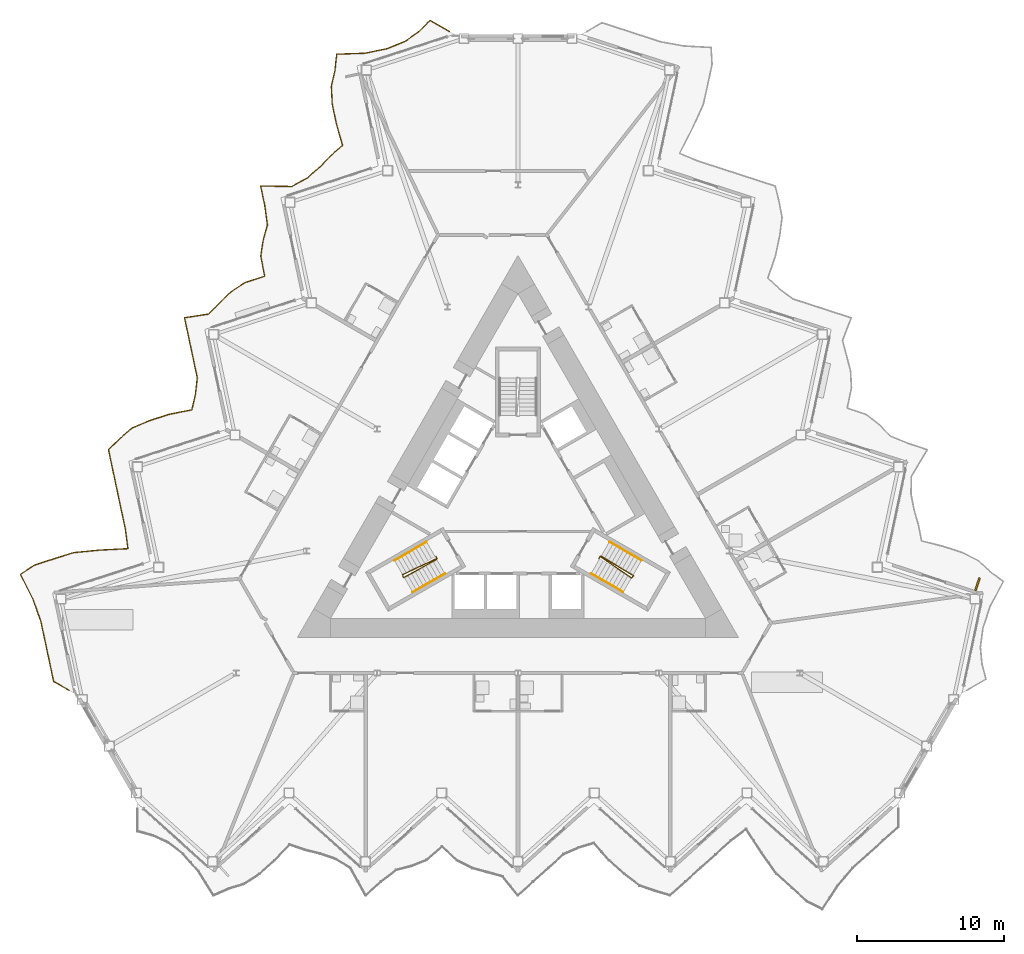
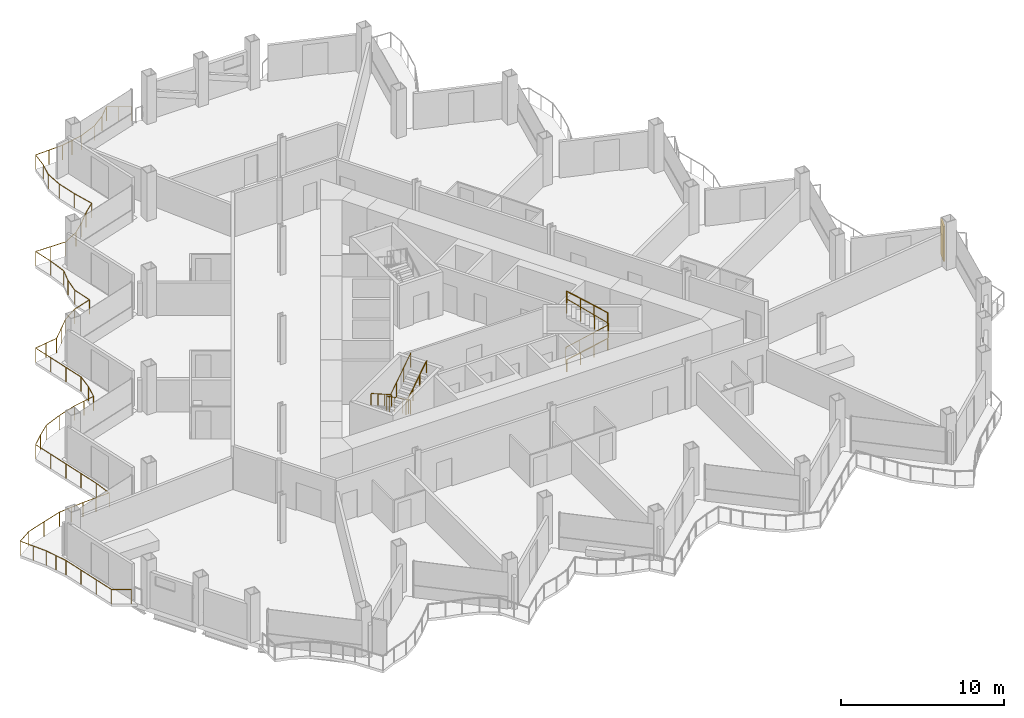
# One storey, part 20 of 24: 7 railings, 1 shading device.
"""IFC4 building model written with IfcOpenShell, lengths in metres."""

from ifc_helpers import new_model, si_unit, direction, frame, origin, origin_2d, place, context, subcontext, project, spatial, rectangle, circle, extrude, material, layer, layer_set, type_object, element, save


model = new_model("IFC4")

# Units and contexts
model_context = context("Model", 3, precision=1e-05, world=origin(), true_north=direction((0.0, 1.0)))
body_context = subcontext(model_context, "Body", "Model", "MODEL_VIEW")
ifc_project = project(units=[si_unit("LENGTHUNIT", "METRE"), si_unit("AREAUNIT", "SQUARE_METRE"), si_unit("VOLUMEUNIT", "CUBIC_METRE"), si_unit("PLANEANGLEUNIT", "RADIAN"), si_unit("MASSUNIT", "GRAM", prefix="KILO")], contexts=[model_context])

# Site, building, storey
site_placement = place(None, origin())
site = spatial("IfcSite", under=ifc_project, at=site_placement, CompositionType="ELEMENT")
building_placement = place(site_placement, origin())
building = spatial("IfcBuilding", under=site, at=building_placement, Name="Cormorant Prow Tower", CompositionType="ELEMENT")
storey_placement = place(building_placement, frame((0.0, 0.0, 238.199951171875)))
storey = spatial("IfcBuildingStorey", under=building, at=storey_placement, Name="L52", CompositionType="ELEMENT", Elevation=238.199951171875)

# Railings
ifc_material_1 = material(Name="Aluminium 6063-T6", Category="aluminium")
railing_type_1 = type_object("IfcRailingType", Name="Balcony guard 1100", PredefinedType="GUARDRAIL", material=ifc_material_1)
railing_1_placement = place(storey_placement, frame((-4.653076171875, 32.54638671875, 0.0)))
element("IfcRailing", 1, at=railing_1_placement, inside=storey, type_object=railing_type_1, Name="Balcony guard WNW", PredefinedType="GUARDRAIL", context=body_context, shape_type="SweptSolid", body=[
    extrude(circle(Radius=0.02392578125, at=origin_2d()), frame((0.0, 0.0, 1.076171875), z_axis=(-0.866030456496, 0.499991248344, 0.0), x_axis=(-0.499991248344, -0.866030456496, 0.0)), (0.0, 0.0, 1.0), 1.52001953125),
    extrude(circle(Radius=0.02392578125, at=origin_2d()), frame((-1.31640625, 0.760009765625, 1.076171875), z_axis=(-0.709948130497, -0.704253968398, 0.0), x_axis=(0.704253968398, -0.709948130497, 0.0)), (0.0, 0.0, 1.0), 1.07177734375),
    extrude(circle(Radius=0.02392578125, at=origin_2d()), frame((-2.077392578125, 0.005126953125, 1.076171875), z_axis=(-0.81387858122, -0.581034986065, 0.0), x_axis=(0.581034986065, -0.81387858122, 0.0)), (0.0, 0.0, 1.0), 1.136474609375),
    extrude(circle(Radius=0.02392578125, at=origin_2d()), frame((-3.00244140625, -0.6552734375, 1.076171875), z_axis=(-0.924048758749, -0.382274628316, 0.0), x_axis=(0.382274628316, -0.924048758749, 0.0)), (0.0, 0.0, 1.0), 1.30419921875),
    extrude(circle(Radius=0.02392578125, at=origin_2d()), frame((-4.20751953125, -1.15380859375, 1.076171875), z_axis=(-0.978951631347, -0.204092389574, 0.0), x_axis=(0.204092389574, -0.978951631347, 0.0)), (0.0, 0.0, 1.0), 1.552734375),
    extrude(circle(Radius=0.02392578125, at=origin_2d()), frame((-5.7275390625, -1.470703125, 1.076171875), z_axis=(-0.99935805819, -0.0358255709, 0.0), x_axis=(0.0358255709, -0.99935805819, 0.0)), (0.0, 0.0, 1.0), 1.948974609375),
    extrude(circle(Radius=0.02392578125, at=origin_2d()), frame((-7.67529296875, -1.54052734375, 1.076171875), z_axis=(-0.105481989889, -0.994421213475, 0.0), x_axis=(0.994421213475, -0.105481989889, 0.0)), (0.0, 0.0, 1.0), 1.1318359375),
    extrude(circle(Radius=0.02392578125, at=origin_2d()), frame((-7.794677734375, -2.666015625, 1.076171875), z_axis=(-0.227943707868, -0.9736743121, 0.0), x_axis=(0.9736743121, -0.227943707868, 0.0)), (0.0, 0.0, 1.0), 1.080810546875),
    extrude(circle(Radius=0.02392578125, at=origin_2d()), frame((-8.041015625, -3.71826171875, 1.076171875), z_axis=(0.052454940014, -0.998623291972, 0.0), x_axis=(0.998623291972, 0.052454940014, 0.0)), (0.0, 0.0, 1.0), 1.2333984375),
    extrude(circle(Radius=0.02392578125, at=origin_2d()), frame((-7.976318359375, -4.949951171875, 1.076171875), z_axis=(0.207839876658, -0.978162862549, 0.0), x_axis=(0.978162862549, 0.207839876658, 0.0)), (0.0, 0.0, 1.0), 1.39208984375),
    extrude(circle(Radius=0.02392578125, at=origin_2d()), frame((-7.68701171875, -6.3115234375, 1.076171875), z_axis=(0.275132806715, -0.961406229785, 0.0), x_axis=(0.961406229785, 0.275132806715, 0.0)), (0.0, 0.0, 1.0), 1.488037109375),
    extrude(circle(Radius=0.02392578125, at=origin_2d()), frame((-7.277587890625, -7.7421875, 1.076171875), z_axis=(-0.753489023011, -0.65746048718, 0.0), x_axis=(0.65746048718, -0.753489023011, 0.0)), (0.0, 0.0, 1.0), 1.09326171875),
    extrude(circle(Radius=0.02392578125, at=origin_2d()), frame((-8.101318359375, -8.4609375, 1.076171875), z_axis=(-0.693813337766, -0.720154880798, 0.0), x_axis=(0.720154880798, -0.693813337766, 0.0)), (0.0, 0.0, 1.0), 1.06591796875),
    extrude(circle(Radius=0.02392578125, at=origin_2d()), frame((-8.8408203125, -9.228515625, 1.076171875), z_axis=(-0.754509398833, -0.656289240405, 0.0), x_axis=(0.656289240405, -0.754509398833, 0.0)), (0.0, 0.0, 1.0), 1.09375),
    extrude(circle(Radius=0.02392578125, at=origin_2d()), frame((-9.666015625, -9.9462890625, 1.076171875), z_axis=(-0.875052262884, -0.484028446706, 0.0), x_axis=(0.484028446706, -0.875052262884, 0.0)), (0.0, 0.0, 1.0), 1.20751953125),
    extrude(circle(Radius=0.02392578125, at=origin_2d()), frame((-10.72265625, -10.53076171875, 1.076171875), z_axis=(-0.999884971682, 0.015167181827, 0.0), x_axis=(-0.015167181827, -0.999884971682, 0.0)), (0.0, 0.0, 1.0), 2.124755859375),
    extrude(circle(Radius=0.02392578125, at=origin_2d()), frame((-12.84716796875, -10.49853515625, 1.076171875), z_axis=(0.207839876658, -0.978162862549, 0.0), x_axis=(0.978162862549, 0.207839876658, 0.0)), (0.0, 0.0, 1.0), 1.39208984375),
    extrude(circle(Radius=0.02392578125, at=origin_2d()), frame((-12.557861328125, -11.860107421875, 1.076171875), z_axis=(0.132384177483, -0.991198481411, 0.0), x_axis=(0.991198481411, 0.132384177483, 0.0)), (0.0, 0.0, 1.0), 1.3056640625),
    extrude(circle(Radius=0.02392578125, at=origin_2d()), frame((-12.385009765625, -13.154296875, 1.076171875), z_axis=(-0.271063528875, -0.962561459499, 0.0), x_axis=(0.962561459499, -0.271063528875, 0.0)), (0.0, 0.0, 1.0), 1.0673828125),
    extrude(circle(Radius=0.02392578125, at=origin_2d()), frame((-12.67431640625, -14.181640625, 1.076171875), z_axis=(-0.145936226657, -0.989293999653, 0.0), x_axis=(0.989293999653, -0.145936226657, 0.0)), (0.0, 0.0, 1.0), 1.112548828125),
    extrude(circle(Radius=0.02392578125, at=origin_2d()), frame((-12.836669921875, -15.2822265625, 1.076171875), z_axis=(0.194408701463, -0.980920616969, 0.0), x_axis=(0.980920616969, 0.194408701463, 0.0)), (0.0, 0.0, 1.0), 1.375),
    extrude(circle(Radius=0.02392578125, at=origin_2d()), frame((-12.5693359375, -16.631103515625, 1.076171875), z_axis=(-0.951110082856, -0.308852084807, 0.0), x_axis=(0.308852084807, -0.951110082856, 0.0)), (0.0, 0.0, 1.0), 1.39208984375),
    extrude(circle(Radius=0.02392578125, at=origin_2d()), frame((-13.893310546875, -17.06103515625, 1.076171875), z_axis=(-0.83799137087, -0.545683481835, 0.0), x_axis=(0.545683481835, -0.83799137087, 0.0)), (0.0, 0.0, 1.0), 1.16015625),
    extrude(circle(Radius=0.02392578125, at=origin_2d()), frame((-14.865478515625, -17.694091796875, 1.076171875), z_axis=(-0.709267259523, -0.704939681511, 0.0), x_axis=(0.704939681511, -0.709267259523, 0.0)), (0.0, 0.0, 1.0), 1.07177734375),
    extrude(circle(Radius=0.02392578125, at=origin_2d()), frame((-15.625732421875, -18.44970703125, 1.076171875), z_axis=(-0.710627202132, -0.703568745462, 0.0), x_axis=(0.703568745462, -0.710627202132, 0.0)), (0.0, 0.0, 1.0), 1.072265625),
    extrude(circle(Radius=0.02392578125, at=origin_2d()), frame((-16.3876953125, -19.2041015625, 1.076171875), z_axis=(-0.988237955064, -0.152923981673, 0.0), x_axis=(0.152923981673, -0.988237955064, 0.0)), (0.0, 0.0, 1.0), 1.65087890625),
    extrude(circle(Radius=0.02392578125, at=origin_2d()), frame((-18.01904296875, -19.45654296875, 1.076171875), z_axis=(0.207839876658, -0.978162862549, 0.0), x_axis=(0.978162862549, 0.207839876658, 0.0)), (0.0, 0.0, 1.0), 1.39208984375),
    extrude(circle(Radius=0.02392578125, at=origin_2d()), frame((-17.729736328125, -20.818115234375, 1.076171875), z_axis=(0.207875540112, -0.978155284105, 0.0), x_axis=(0.978155284105, 0.207875540112, 0.0)), (0.0, 0.0, 1.0), 1.391845703125),
    extrude(circle(Radius=0.02392578125, at=origin_2d()), frame((-17.4404296875, -22.179443359375, 1.076171875), z_axis=(0.207839876658, -0.978162862549, 0.0), x_axis=(0.978162862549, 0.207839876658, 0.0)), (0.0, 0.0, 1.0), 1.39208984375),
    extrude(circle(Radius=0.02392578125, at=origin_2d()), frame((-17.151123046875, -23.541015625, 1.076171875), z_axis=(-0.110716329171, -0.993852048574, 0.0), x_axis=(0.993852048574, -0.110716329171, 0.0)), (0.0, 0.0, 1.0), 1.12890625),
    extrude(circle(Radius=0.02392578125, at=origin_2d()), frame((-17.276123046875, -24.6630859375, 1.076171875), z_axis=(-0.22645869975, -0.974020768417, 0.0), x_axis=(0.974020768417, -0.22645869975, 0.0)), (0.0, 0.0, 1.0), 1.081298828125),
    extrude(circle(Radius=0.02392578125, at=origin_2d()), frame((-17.52099609375, -25.71630859375, 1.076171875), z_axis=(-0.981319493384, -0.192385165501, 0.0), x_axis=(0.192385165501, -0.981319493384, 0.0)), (0.0, 0.0, 1.0), 1.573486328125),
    extrude(circle(Radius=0.02392578125, at=origin_2d()), frame((-19.065185546875, -26.01904296875, 1.076171875), z_axis=(-0.951041802481, -0.30906227517, 0.0), x_axis=(0.30906227517, -0.951041802481, 0.0)), (0.0, 0.0, 1.0), 1.391845703125),
    extrude(circle(Radius=0.02392578125, at=origin_2d()), frame((-20.388916015625, -26.44921875, 1.076171875), z_axis=(-0.922670967492, -0.385588233414, 0.0), x_axis=(0.385588233414, -0.922670967492, 0.0)), (0.0, 0.0, 1.0), 1.300537109375),
    extrude(circle(Radius=0.02392578125, at=origin_2d()), frame((-21.5888671875, -26.95068359375, 1.076171875), z_axis=(-0.752258281375, -0.658868331385, 0.0), x_axis=(0.658868331385, -0.752258281375, 0.0)), (0.0, 0.0, 1.0), 1.0927734375),
    extrude(circle(Radius=0.02392578125, at=origin_2d()), frame((-22.410888671875, -27.670654296875, 1.076171875), z_axis=(-0.723669142106, -0.69014706604, 0.0), x_axis=(0.69014706604, -0.723669142106, 0.0)), (0.0, 0.0, 1.0), 1.077880859375),
    extrude(circle(Radius=0.02392578125, at=origin_2d()), frame((-23.19091796875, -28.41455078125, 1.076171875), z_axis=(0.207875540112, -0.978155284105, 0.0), x_axis=(0.978155284105, 0.207875540112, 0.0)), (0.0, 0.0, 1.0), 1.391845703125),
    extrude(circle(Radius=0.02392578125, at=origin_2d()), frame((-22.901611328125, -29.77587890625, 1.076171875), z_axis=(0.207839876658, -0.978162862549, 0.0), x_axis=(0.978162862549, 0.207839876658, 0.0)), (0.0, 0.0, 1.0), 1.39208984375),
    extrude(circle(Radius=0.02392578125, at=origin_2d()), frame((-22.6123046875, -31.137451171875, 1.076171875), z_axis=(0.207839876658, -0.978162862549, 0.0), x_axis=(0.978162862549, 0.207839876658, 0.0)), (0.0, 0.0, 1.0), 1.39208984375),
    extrude(circle(Radius=0.02392578125, at=origin_2d()), frame((-22.322998046875, -32.4990234375, 1.076171875), z_axis=(0.208007683287, -0.978127191982, 0.0), x_axis=(0.978127191982, 0.208007683287, 0.0)), (0.0, 0.0, 1.0), 1.39208984375),
    extrude(circle(Radius=0.02392578125, at=origin_2d()), frame((-22.033447265625, -33.860595703125, 1.076171875), z_axis=(0.128304635075, -0.991734803573, 0.0), x_axis=(0.991734803573, 0.128304635075, 0.0)), (0.0, 0.0, 1.0), 1.301513671875),
    extrude(circle(Radius=0.02392578125, at=origin_2d()), frame((-21.866455078125, -35.1513671875, 1.076171875), z_axis=(-0.998723398703, -0.05051309616, 0.0), x_axis=(0.05051309616, -0.998723398703, 0.0)), (0.0, 0.0, 1.0), 1.904296875),
    extrude(circle(Radius=0.02392578125, at=origin_2d()), frame((-23.768310546875, -35.24755859375, 1.076171875), z_axis=(-0.995416306258, -0.09563669398, 0.0), x_axis=(0.09563669398, -0.995416306258, 0.0)), (0.0, 0.0, 1.0), 1.78173828125),
    extrude(circle(Radius=0.02392578125, at=origin_2d()), frame((-25.5419921875, -35.41796875, 1.076171875), z_axis=(-0.954501595477, -0.298205808516, 0.0), x_axis=(0.298205808516, -0.954501595477, 0.0)), (0.0, 0.0, 1.0), 1.406494140625),
    extrude(circle(Radius=0.02392578125, at=origin_2d()), frame((-26.884521484375, -35.83740234375, 1.076171875), z_axis=(-0.951093348811, -0.308903612552, 0.0), x_axis=(0.308903612552, -0.951093348811, 0.0)), (0.0, 0.0, 1.0), 1.391845703125),
    extrude(circle(Radius=0.02392578125, at=origin_2d()), frame((-28.208251953125, -36.267333984375, 1.076171875), z_axis=(-0.835569946969, -0.549384076692, 0.0), x_axis=(0.549384076692, -0.835569946969, 0.0)), (0.0, 0.0, 1.0), 1.15771484375),
    extrude(circle(Radius=0.02392578125, at=origin_2d()), frame((-29.175537109375, -36.9033203125, 1.076171875), z_axis=(0.451494885501, -0.892273707091, 0.0), x_axis=(0.892273707091, 0.451494885501, 0.0)), (0.0, 0.0, 1.0), 1.890869140625),
    extrude(circle(Radius=0.02392578125, at=origin_2d()), frame((-28.32177734375, -38.590576171875, 1.076171875), z_axis=(0.336413821049, -0.94171425656, 0.0), x_axis=(0.94171425656, 0.336413821049, 0.0)), (0.0, 0.0, 1.0), 1.59814453125),
    extrude(circle(Radius=0.02392578125, at=origin_2d()), frame((-27.7841796875, -40.095458984375, 1.076171875), z_axis=(0.207839876658, -0.978162862549, 0.0), x_axis=(0.978162862549, 0.207839876658, 0.0)), (0.0, 0.0, 1.0), 1.39208984375),
    extrude(circle(Radius=0.02392578125, at=origin_2d()), frame((-27.494873046875, -41.45703125, 1.076171875), z_axis=(0.208007683287, -0.978127191982, 0.0), x_axis=(0.978127191982, 0.208007683287, 0.0)), (0.0, 0.0, 1.0), 1.39208984375),
    extrude(circle(Radius=0.02392578125, at=origin_2d()), frame((-27.205322265625, -42.818603515625, 1.076171875), z_axis=(0.207875540112, -0.978155284105, 0.0), x_axis=(0.978155284105, 0.207875540112, 0.0)), (0.0, 0.0, 1.0), 1.391845703125),
    extrude(circle(Radius=0.02392578125, at=origin_2d()), frame((-26.916015625, -44.179931640625, 1.076171875), z_axis=(0.866005645448, -0.500034220881, 0.0), x_axis=(0.500034220881, 0.866005645448, 0.0)), (0.0, 0.0, 1.0), 1.22021484375),
    extrude(circle(Radius=0.02099609375, at=origin_2d()), origin(), (0.0, 0.0, 1.0), 1.052001953125),
    extrude(circle(Radius=0.02099609375, at=origin_2d()), frame((-0.658203125, 0.3798828125, 0.0)), (0.0, 0.0, 1.0), 1.052001953125),
    extrude(circle(Radius=0.02099609375, at=origin_2d()), frame((-1.31640625, 0.760009765625, 0.0)), (0.0, 0.0, 1.0), 1.052001953125),
    extrude(circle(Radius=0.02099609375, at=origin_2d()), frame((-2.077392578125, 0.005126953125, 0.0)), (0.0, 0.0, 1.0), 1.052001953125),
    extrude(circle(Radius=0.02099609375, at=origin_2d()), frame((-3.00244140625, -0.6552734375, 0.0)), (0.0, 0.0, 1.0), 1.052001953125),
    extrude(circle(Radius=0.02099609375, at=origin_2d()), frame((-4.20751953125, -1.15380859375, 0.0)), (0.0, 0.0, 1.0), 1.052001953125),
    extrude(circle(Radius=0.02099609375, at=origin_2d()), frame((-4.967529296875, -1.312255859375, 0.0)), (0.0, 0.0, 1.0), 1.052001953125),
    extrude(circle(Radius=0.02099609375, at=origin_2d()), frame((-5.7275390625, -1.470703125, 0.0)), (0.0, 0.0, 1.0), 1.052001953125),
    extrude(circle(Radius=0.02099609375, at=origin_2d()), frame((-6.701416015625, -1.505615234375, 0.0)), (0.0, 0.0, 1.0), 1.052001953125),
    extrude(circle(Radius=0.02099609375, at=origin_2d()), frame((-7.67529296875, -1.54052734375, 0.0)), (0.0, 0.0, 1.0), 1.052001953125),
    extrude(circle(Radius=0.02099609375, at=origin_2d()), frame((-7.794677734375, -2.666015625, 0.0)), (0.0, 0.0, 1.0), 1.052001953125),
    extrude(circle(Radius=0.02099609375, at=origin_2d()), frame((-8.041015625, -3.71826171875, 0.0)), (0.0, 0.0, 1.0), 1.052001953125),
    extrude(circle(Radius=0.02099609375, at=origin_2d()), frame((-7.976318359375, -4.949951171875, 0.0)), (0.0, 0.0, 1.0), 1.052001953125),
    extrude(circle(Radius=0.02099609375, at=origin_2d()), frame((-7.68701171875, -6.3115234375, 0.0)), (0.0, 0.0, 1.0), 1.052001953125),
    extrude(circle(Radius=0.02099609375, at=origin_2d()), frame((-7.277587890625, -7.7421875, 0.0)), (0.0, 0.0, 1.0), 1.052001953125),
    extrude(circle(Radius=0.02099609375, at=origin_2d()), frame((-8.101318359375, -8.4609375, 0.0)), (0.0, 0.0, 1.0), 1.052001953125),
    extrude(circle(Radius=0.02099609375, at=origin_2d()), frame((-8.8408203125, -9.228515625, 0.0)), (0.0, 0.0, 1.0), 1.052001953125),
    extrude(circle(Radius=0.02099609375, at=origin_2d()), frame((-9.666015625, -9.9462890625, 0.0)), (0.0, 0.0, 1.0), 1.052001953125),
    extrude(circle(Radius=0.02099609375, at=origin_2d()), frame((-10.72265625, -10.53076171875, 0.0)), (0.0, 0.0, 1.0), 1.052001953125),
    extrude(circle(Radius=0.02099609375, at=origin_2d()), frame((-11.784912109375, -10.5146484375, 0.0)), (0.0, 0.0, 1.0), 1.052001953125),
    extrude(circle(Radius=0.02099609375, at=origin_2d()), frame((-12.84716796875, -10.49853515625, 0.0)), (0.0, 0.0, 1.0), 1.052001953125),
    extrude(circle(Radius=0.02099609375, at=origin_2d()), frame((-12.557861328125, -11.860107421875, 0.0)), (0.0, 0.0, 1.0), 1.052001953125),
    extrude(circle(Radius=0.02099609375, at=origin_2d()), frame((-12.385009765625, -13.154296875, 0.0)), (0.0, 0.0, 1.0), 1.052001953125),
    extrude(circle(Radius=0.02099609375, at=origin_2d()), frame((-12.67431640625, -14.181640625, 0.0)), (0.0, 0.0, 1.0), 1.052001953125),
    extrude(circle(Radius=0.02099609375, at=origin_2d()), frame((-12.836669921875, -15.2822265625, 0.0)), (0.0, 0.0, 1.0), 1.052001953125),
    extrude(circle(Radius=0.02099609375, at=origin_2d()), frame((-12.5693359375, -16.631103515625, 0.0)), (0.0, 0.0, 1.0), 1.052001953125),
    extrude(circle(Radius=0.02099609375, at=origin_2d()), frame((-13.893310546875, -17.06103515625, 0.0)), (0.0, 0.0, 1.0), 1.052001953125),
    extrude(circle(Radius=0.02099609375, at=origin_2d()), frame((-14.865478515625, -17.694091796875, 0.0)), (0.0, 0.0, 1.0), 1.052001953125),
    extrude(circle(Radius=0.02099609375, at=origin_2d()), frame((-15.625732421875, -18.44970703125, 0.0)), (0.0, 0.0, 1.0), 1.052001953125),
    extrude(circle(Radius=0.02099609375, at=origin_2d()), frame((-16.3876953125, -19.2041015625, 0.0)), (0.0, 0.0, 1.0), 1.052001953125),
    extrude(circle(Radius=0.02099609375, at=origin_2d()), frame((-17.203369140625, -19.330322265625, 0.0)), (0.0, 0.0, 1.0), 1.052001953125),
    extrude(circle(Radius=0.02099609375, at=origin_2d()), frame((-18.01904296875, -19.45654296875, 0.0)), (0.0, 0.0, 1.0), 1.052001953125),
    extrude(circle(Radius=0.02099609375, at=origin_2d()), frame((-17.729736328125, -20.818115234375, 0.0)), (0.0, 0.0, 1.0), 1.052001953125),
    extrude(circle(Radius=0.02099609375, at=origin_2d()), frame((-17.4404296875, -22.179443359375, 0.0)), (0.0, 0.0, 1.0), 1.052001953125),
    extrude(circle(Radius=0.02099609375, at=origin_2d()), frame((-17.151123046875, -23.541015625, 0.0)), (0.0, 0.0, 1.0), 1.052001953125),
    extrude(circle(Radius=0.02099609375, at=origin_2d()), frame((-17.276123046875, -24.6630859375, 0.0)), (0.0, 0.0, 1.0), 1.052001953125),
    extrude(circle(Radius=0.02099609375, at=origin_2d()), frame((-17.52099609375, -25.71630859375, 0.0)), (0.0, 0.0, 1.0), 1.052001953125),
    extrude(circle(Radius=0.02099609375, at=origin_2d()), frame((-18.29296875, -25.86767578125, 0.0)), (0.0, 0.0, 1.0), 1.052001953125),
    extrude(circle(Radius=0.02099609375, at=origin_2d()), frame((-19.065185546875, -26.01904296875, 0.0)), (0.0, 0.0, 1.0), 1.052001953125),
    extrude(circle(Radius=0.02099609375, at=origin_2d()), frame((-20.388916015625, -26.44921875, 0.0)), (0.0, 0.0, 1.0), 1.052001953125),
    extrude(circle(Radius=0.02099609375, at=origin_2d()), frame((-21.5888671875, -26.95068359375, 0.0)), (0.0, 0.0, 1.0), 1.052001953125),
    extrude(circle(Radius=0.02099609375, at=origin_2d()), frame((-22.410888671875, -27.670654296875, 0.0)), (0.0, 0.0, 1.0), 1.052001953125),
    extrude(circle(Radius=0.02099609375, at=origin_2d()), frame((-23.19091796875, -28.41455078125, 0.0)), (0.0, 0.0, 1.0), 1.052001953125),
    extrude(circle(Radius=0.02099609375, at=origin_2d()), frame((-22.901611328125, -29.77587890625, 0.0)), (0.0, 0.0, 1.0), 1.052001953125),
    extrude(circle(Radius=0.02099609375, at=origin_2d()), frame((-22.6123046875, -31.137451171875, 0.0)), (0.0, 0.0, 1.0), 1.052001953125),
    extrude(circle(Radius=0.02099609375, at=origin_2d()), frame((-22.322998046875, -32.4990234375, 0.0)), (0.0, 0.0, 1.0), 1.052001953125),
    extrude(circle(Radius=0.02099609375, at=origin_2d()), frame((-22.033447265625, -33.860595703125, 0.0)), (0.0, 0.0, 1.0), 1.052001953125),
    extrude(circle(Radius=0.02099609375, at=origin_2d()), frame((-21.866455078125, -35.1513671875, 0.0)), (0.0, 0.0, 1.0), 1.052001953125),
    extrude(circle(Radius=0.02099609375, at=origin_2d()), frame((-22.8173828125, -35.199462890625, 0.0)), (0.0, 0.0, 1.0), 1.052001953125),
    extrude(circle(Radius=0.02099609375, at=origin_2d()), frame((-23.768310546875, -35.24755859375, 0.0)), (0.0, 0.0, 1.0), 1.052001953125),
    extrude(circle(Radius=0.02099609375, at=origin_2d()), frame((-24.6552734375, -35.332763671875, 0.0)), (0.0, 0.0, 1.0), 1.052001953125),
    extrude(circle(Radius=0.02099609375, at=origin_2d()), frame((-25.5419921875, -35.41796875, 0.0)), (0.0, 0.0, 1.0), 1.052001953125),
    extrude(circle(Radius=0.02099609375, at=origin_2d()), frame((-26.884521484375, -35.83740234375, 0.0)), (0.0, 0.0, 1.0), 1.052001953125),
    extrude(circle(Radius=0.02099609375, at=origin_2d()), frame((-28.208251953125, -36.267333984375, 0.0)), (0.0, 0.0, 1.0), 1.052001953125),
    extrude(circle(Radius=0.02099609375, at=origin_2d()), frame((-29.175537109375, -36.9033203125, 0.0)), (0.0, 0.0, 1.0), 1.052001953125),
    extrude(circle(Radius=0.02099609375, at=origin_2d()), frame((-28.74853515625, -37.7470703125, 0.0)), (0.0, 0.0, 1.0), 1.052001953125),
    extrude(circle(Radius=0.02099609375, at=origin_2d()), frame((-28.32177734375, -38.590576171875, 0.0)), (0.0, 0.0, 1.0), 1.052001953125),
    extrude(circle(Radius=0.02099609375, at=origin_2d()), frame((-28.052978515625, -39.343017578125, 0.0)), (0.0, 0.0, 1.0), 1.052001953125),
    extrude(circle(Radius=0.02099609375, at=origin_2d()), frame((-27.7841796875, -40.095458984375, 0.0)), (0.0, 0.0, 1.0), 1.052001953125),
    extrude(circle(Radius=0.02099609375, at=origin_2d()), frame((-27.494873046875, -41.45703125, 0.0)), (0.0, 0.0, 1.0), 1.052001953125),
    extrude(circle(Radius=0.02099609375, at=origin_2d()), frame((-27.205322265625, -42.818603515625, 0.0)), (0.0, 0.0, 1.0), 1.052001953125),
    extrude(circle(Radius=0.02099609375, at=origin_2d()), frame((-26.916015625, -44.179931640625, 0.0)), (0.0, 0.0, 1.0), 1.052001953125),
    extrude(circle(Radius=0.02099609375, at=origin_2d()), frame((-25.859375, -44.7900390625, 0.0)), (0.0, 0.0, 1.0), 1.052001953125),
])
ifc_material_2 = material(Name="Stainless steel", Category="steel")
railing_type_2 = type_object("IfcRailingType", Name="Stair guard 1100", PredefinedType="GUARDRAIL", material=ifc_material_2)
railing_2_placement = place(storey_placement, frame((-5.585205078125, -3.137939453125, 0.0)))
element("IfcRailing", 2, at=railing_2_placement, inside=storey, type_object=railing_type_2, Name="L52 ST1 stair guard 1", PredefinedType="GUARDRAIL", context=body_context, shape_type="SweptSolid", body=[
    extrude(circle(Radius=0.02392578125, at=origin_2d()), frame((0.0, 0.0, 1.076171875), z_axis=(0.501036270542, -0.865426285481, 0.0), x_axis=(0.865426285481, 0.501036270542, 0.0)), (0.0, 0.0, 1.0), 0.150146484375),
    extrude(circle(Radius=0.02392578125, at=origin_2d()), frame((0.0751953125, -0.1298828125, 1.076171875), z_axis=(-0.739707038506, -0.353624380995, 0.572523619033), x_axis=(0.431308035802, -0.902204731895, 0.0)), (0.0, 0.0, 1.0), 3.14404296875),
    extrude(circle(Radius=0.02392578125, at=origin_2d()), frame((-2.25048828125, -1.24169921875, 2.8759765625), z_axis=(0.274721127897, -0.961523947641, 0.0), x_axis=(0.961523947641, 0.274721127897, 0.0)), (0.0, 0.0, 1.0), 0.2060546875),
    extrude(circle(Radius=0.02392578125, at=origin_2d()), frame((-2.19384765625, -1.43994140625, 2.8759765625), z_axis=(0.717223475266, 0.39568267656, 0.573607623727), x_axis=(-0.483052234887, 0.87559153626, 0.0)), (0.0, 0.0, 1.0), 3.13818359375),
    extrude(circle(Radius=0.02099609375, at=origin_2d()), origin(), (0.0, 0.0, 1.0), 1.052001953125),
    extrude(circle(Radius=0.02099609375, at=origin_2d()), frame((0.0751953125, -0.1298828125, 0.0)), (0.0, 0.0, 1.0), 1.052001953125),
    extrude(circle(Radius=0.02099609375, at=origin_2d()), frame((-0.699951171875, -0.50048828125, 0.60009765625)), (0.0, 0.0, 1.0), 1.052001953125),
    extrude(circle(Radius=0.02099609375, at=origin_2d()), frame((-1.475341796875, -0.87109375, 1.199951171875)), (0.0, 0.0, 1.0), 1.052001953125),
    extrude(circle(Radius=0.02099609375, at=origin_2d()), frame((-2.25048828125, -1.24169921875, 1.800048828125)), (0.0, 0.0, 1.0), 1.052001953125),
    extrude(circle(Radius=0.02099609375, at=origin_2d()), frame((-2.19384765625, -1.43994140625, 1.800048828125)), (0.0, 0.0, 1.0), 1.052001953125),
    extrude(circle(Radius=0.02099609375, at=origin_2d()), frame((-1.443603515625, -1.026123046875, 2.400146484375)), (0.0, 0.0, 1.0), 1.052001953125),
    extrude(circle(Radius=0.02099609375, at=origin_2d()), frame((-0.693359375, -0.612060546875, 3.0)), (0.0, 0.0, 1.0), 1.052001953125),
    extrude(circle(Radius=0.02099609375, at=origin_2d()), frame((0.056884765625, -0.1982421875, 3.60009765625)), (0.0, 0.0, 1.0), 1.052001953125),
])
railing_3_placement = place(storey_placement, frame((5.510009765625, -3.267822265625, 0.0)))
element("IfcRailing", 3, at=railing_3_placement, inside=storey, type_object=railing_type_2, Name="L52 ST2 stair guard 1", PredefinedType="GUARDRAIL", context=body_context, shape_type="SweptSolid", body=[
    extrude(circle(Radius=0.02392578125, at=origin_2d()), frame((0.0, 0.0, 1.076171875), z_axis=(0.501036270542, 0.865426285481, 0.0), x_axis=(-0.865426285481, 0.501036270542, 0.0)), (0.0, 0.0, 1.0), 0.150146484375),
    extrude(circle(Radius=0.02392578125, at=origin_2d()), frame((0.0751953125, 0.1298828125, 1.076171875), z_axis=(0.676058237057, -0.463829066155, 0.572545070276), x_axis=(0.565732651216, 0.824588726183, 0.0)), (0.0, 0.0, 1.0), 3.14404296875),
    extrude(circle(Radius=0.02392578125, at=origin_2d()), frame((2.20068359375, -1.328369140625, 2.8759765625), z_axis=(0.695164929852, 0.718850276695, 0.0), x_axis=(-0.718850276695, 0.695164929852, 0.0)), (0.0, 0.0, 1.0), 0.2060546875),
    extrude(circle(Radius=0.02392578125, at=origin_2d()), frame((2.343994140625, -1.18017578125, 2.8759765625), z_axis=(-0.70127624584, 0.423301980654, 0.573608804147), x_axis=(-0.516770599887, -0.856123908726, 0.0)), (0.0, 0.0, 1.0), 3.13818359375),
    extrude(circle(Radius=0.02099609375, at=origin_2d()), origin(), (0.0, 0.0, 1.0), 1.052001953125),
    extrude(circle(Radius=0.02099609375, at=origin_2d()), frame((0.0751953125, 0.1298828125, 0.0)), (0.0, 0.0, 1.0), 1.052001953125),
    extrude(circle(Radius=0.02099609375, at=origin_2d()), frame((0.78369140625, -0.356201171875, 0.60009765625)), (0.0, 0.0, 1.0), 1.052001953125),
    extrude(circle(Radius=0.02099609375, at=origin_2d()), frame((1.4921875, -0.84228515625, 1.199951171875)), (0.0, 0.0, 1.0), 1.052001953125),
    extrude(circle(Radius=0.02099609375, at=origin_2d()), frame((2.20068359375, -1.328369140625, 1.800048828125)), (0.0, 0.0, 1.0), 1.052001953125),
    extrude(circle(Radius=0.02099609375, at=origin_2d()), frame((2.343994140625, -1.18017578125, 1.800048828125)), (0.0, 0.0, 1.0), 1.052001953125),
    extrude(circle(Radius=0.02099609375, at=origin_2d()), frame((1.6103515625, -0.7373046875, 2.400146484375)), (0.0, 0.0, 1.0), 1.052001953125),
    extrude(circle(Radius=0.02099609375, at=origin_2d()), frame((0.876953125, -0.294677734375, 3.0)), (0.0, 0.0, 1.0), 1.052001953125),
    extrude(circle(Radius=0.02099609375, at=origin_2d()), frame((0.143310546875, 0.148193359375, 3.60009765625)), (0.0, 0.0, 1.0), 1.052001953125),
])
ifc_material_3 = material(Name="Stainless steel", Category="steel")
railing_type_3 = type_object("IfcRailingType", Name="Stair handrail 900", PredefinedType="HANDRAIL", material=ifc_material_3)
railing_4_placement = place(storey_placement, frame((-6.212890625, -2.150634765625, 0.179931640625)))
element("IfcRailing", 4, at=railing_4_placement, inside=storey, type_object=railing_type_3, Name="L52 ST1 stair handrail 1", PredefinedType="HANDRAIL", context=body_context, shape_type="SweptSolid", body=[
    extrude(circle(Radius=0.02392578125, at=origin_2d()), frame((0.0, 0.0, 0.8759765625), z_axis=(-0.728463801763, -0.420584145978, 0.540785970299), x_axis=(0.500004791531, -0.866022637375, 0.0)), (0.0, 0.0, 1.0), 2.995849609375),
    extrude(circle(Radius=0.02099609375, at=origin_2d()), origin(), (0.0, 0.0, 1.0), 0.851806640625),
    extrude(circle(Radius=0.02099609375, at=origin_2d()), frame((-0.7275390625, -0.419921875, 0.5400390625)), (0.0, 0.0, 1.0), 0.851806640625),
    extrude(circle(Radius=0.02099609375, at=origin_2d()), frame((-1.454833984375, -0.840087890625, 1.080078125)), (0.0, 0.0, 1.0), 0.851806640625),
    extrude(circle(Radius=0.02099609375, at=origin_2d()), frame((-2.182373046875, -1.260009765625, 1.6201171875)), (0.0, 0.0, 1.0), 0.851806640625),
])
railing_5_placement = place(storey_placement, frame((-7.1513671875, -5.565185546875, 1.97998046875)))
element("IfcRailing", 5, at=railing_5_placement, inside=storey, type_object=railing_type_3, Name="L52 ST1 stair handrail 2", PredefinedType="HANDRAIL", context=body_context, shape_type="SweptSolid", body=[
    extrude(circle(Radius=0.02392578125, at=origin_2d()), frame((0.0, 0.0, 0.8759765625), z_axis=(0.728463801763, 0.420584145978, 0.540785970299), x_axis=(-0.500004791531, 0.866022637375, 0.0)), (0.0, 0.0, 1.0), 2.995849609375),
    extrude(circle(Radius=0.02099609375, at=origin_2d()), origin(), (0.0, 0.0, 1.0), 0.851806640625),
    extrude(circle(Radius=0.02099609375, at=origin_2d()), frame((0.7275390625, 0.419921875, 0.5400390625)), (0.0, 0.0, 1.0), 0.851806640625),
    extrude(circle(Radius=0.02099609375, at=origin_2d()), frame((1.454833984375, 0.840087890625, 1.080078125)), (0.0, 0.0, 1.0), 0.851806640625),
    extrude(circle(Radius=0.02099609375, at=origin_2d()), frame((2.182373046875, 1.260009765625, 1.6201171875)), (0.0, 0.0, 1.0), 0.851806640625),
])
railing_6_placement = place(storey_placement, frame((4.968994140625, -4.30517578125, 0.179931640625)))
element("IfcRailing", 6, at=railing_6_placement, inside=storey, type_object=railing_type_3, Name="L52 ST2 stair handrail 1", PredefinedType="HANDRAIL", context=body_context, shape_type="SweptSolid", body=[
    extrude(circle(Radius=0.02392578125, at=origin_2d()), frame((0.0, 0.0, 0.8759765625), z_axis=(0.728463801763, -0.420584145978, 0.540785970299), x_axis=(0.500004791531, 0.866022637375, 0.0)), (0.0, 0.0, 1.0), 2.995849609375),
    extrude(circle(Radius=0.02099609375, at=origin_2d()), origin(), (0.0, 0.0, 1.0), 0.851806640625),
    extrude(circle(Radius=0.02099609375, at=origin_2d()), frame((0.7275390625, -0.419921875, 0.5400390625)), (0.0, 0.0, 1.0), 0.851806640625),
    extrude(circle(Radius=0.02099609375, at=origin_2d()), frame((1.454833984375, -0.840087890625, 1.080078125)), (0.0, 0.0, 1.0), 0.851806640625),
    extrude(circle(Radius=0.02099609375, at=origin_2d()), frame((2.182373046875, -1.260009765625, 1.6201171875)), (0.0, 0.0, 1.0), 0.851806640625),
])
railing_7_placement = place(storey_placement, frame((8.395263671875, -3.41064453125, 1.97998046875)))
element("IfcRailing", 7, at=railing_7_placement, inside=storey, type_object=railing_type_3, Name="L52 ST2 stair handrail 2", PredefinedType="HANDRAIL", context=body_context, shape_type="SweptSolid", body=[
    extrude(circle(Radius=0.02392578125, at=origin_2d()), frame((0.0, 0.0, 0.8759765625), z_axis=(-0.728463801763, 0.420584145978, 0.540785970299), x_axis=(-0.500004791531, -0.866022637375, 0.0)), (0.0, 0.0, 1.0), 2.995849609375),
    extrude(circle(Radius=0.02099609375, at=origin_2d()), origin(), (0.0, 0.0, 1.0), 0.851806640625),
    extrude(circle(Radius=0.02099609375, at=origin_2d()), frame((-0.7275390625, 0.419921875, 0.5400390625)), (0.0, 0.0, 1.0), 0.851806640625),
    extrude(circle(Radius=0.02099609375, at=origin_2d()), frame((-1.454833984375, 0.840087890625, 1.080078125)), (0.0, 0.0, 1.0), 0.851806640625),
    extrude(circle(Radius=0.02099609375, at=origin_2d()), frame((-2.182373046875, 1.260009765625, 1.6201171875)), (0.0, 0.0, 1.0), 0.851806640625),
])

# Shading device
ifc_material_4 = material(Name="Terracotta", Category="masonry")
ifc_layer = layer(ifc_material_4, 0.1201171875)
ifc_layer_set = layer_set([ifc_layer], Name="Terracotta")
shading_device_type = type_object("IfcShadingDeviceType", Name="Terracotta baguette fin 120x900x2600", PredefinedType="USERDEFINED", material=ifc_layer_set)
shading_device_placement = place(storey_placement, frame((31.23583984375, -5.02490234375, 0.0), z_axis=(0.0, 0.0, 1.0), x_axis=(-0.951056543985, 0.309016909155, 0.0)))
element("IfcShadingDevice", 8, at=shading_device_placement, inside=storey, type_object=shading_device_type, Name="Baguette fin ENE01", ObjectType="BAGUETTE", PredefinedType="USERDEFINED", context=body_context, shape_type="SweptSolid", body=[
    extrude(rectangle(XDim=0.1201171875, YDim=0.89990234375, at=origin_2d()), origin(), (0.0, 0.0, 1.0), 2.60009765625),
])

save(model, "model.ifc")
